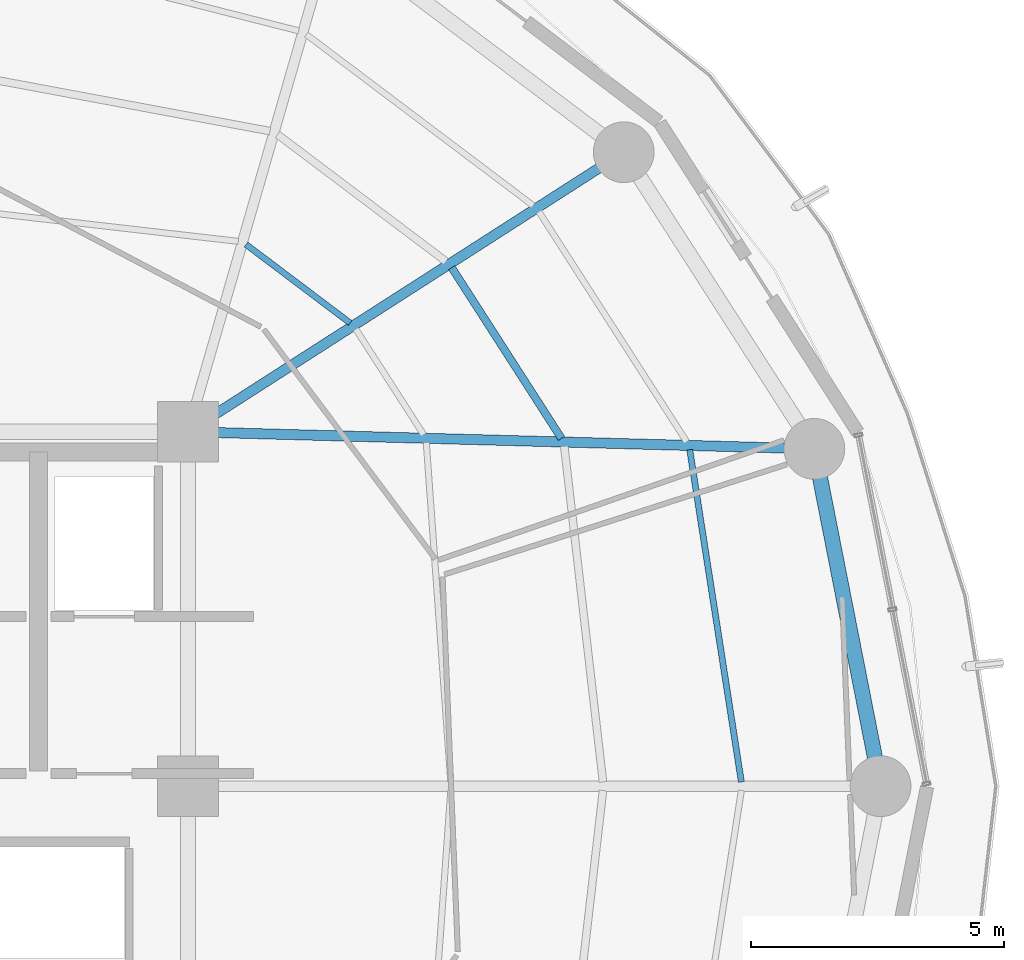
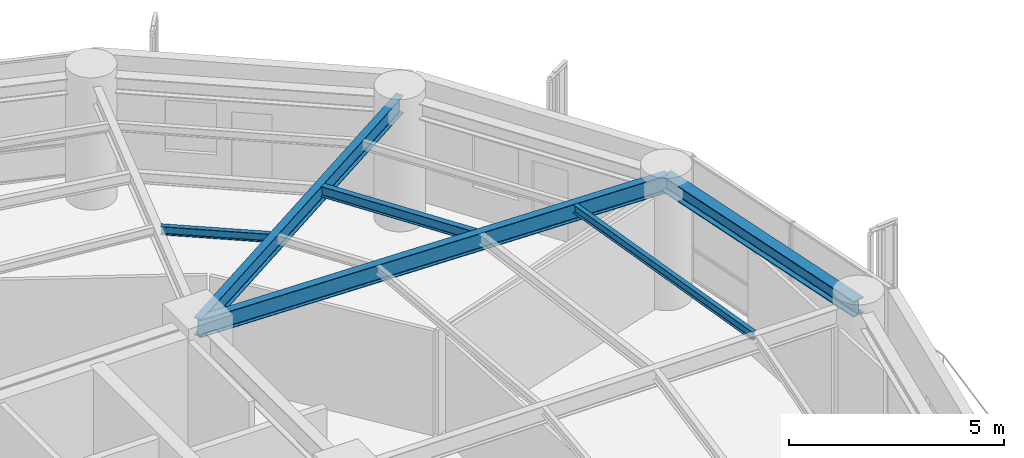
# One storey, part 14 of 28: 6 beams.
"""IFC4 building model written with IfcOpenShell, lengths in metres."""

from ifc_helpers import new_model, si_unit, direction, frame, origin, origin_2d, place, context, subcontext, project, spatial, i_section, extrude, material, material_profile, profile_set, type_object, element, save


model = new_model("IFC4")

# Units and contexts
model_context = context("Model", 3, precision=1e-05, world=origin(), true_north=direction((0.0, 1.0)))
body_context = subcontext(model_context, "Body", "Model", "MODEL_VIEW")
ifc_project = project(units=[si_unit("LENGTHUNIT", "METRE"), si_unit("AREAUNIT", "SQUARE_METRE"), si_unit("VOLUMEUNIT", "CUBIC_METRE"), si_unit("PLANEANGLEUNIT", "RADIAN"), si_unit("MASSUNIT", "GRAM", prefix="KILO")], contexts=[model_context])

# Site, building, storey
site_placement = place(None, origin())
site = spatial("IfcSite", under=ifc_project, at=site_placement, CompositionType="ELEMENT")
building_placement = place(site_placement, origin())
building = spatial("IfcBuilding", under=site, at=building_placement, Name="Kelanora Arch Commons", CompositionType="ELEMENT")
storey_placement = place(building_placement, frame((0.0, 0.0, 176.85009765625)))
storey = spatial("IfcBuildingStorey", under=building, at=storey_placement, Name="L45", CompositionType="ELEMENT", Elevation=176.85009765625)

# Beams
ifc_material = material(Name="Steel S355", Category="steel")
ifc_material_profile_1 = material_profile(ifc_material, i_section(OverallWidth=0.14990234375, OverallDepth=0.300048828125, WebThickness=0.007080078125, FlangeThickness=0.0107421875, FilletRadius=0.014892578125, at=origin_2d()), Name="IPE300")
ifc_profile_set_1 = profile_set([ifc_material_profile_1], Name="Steel S355")
beam_type_1 = type_object("IfcBeamType", Name="BM-JST-01", PredefinedType="JOIST", material=ifc_profile_set_1)
beam_1_placement = place(storey_placement, frame((89.377685546875, 64.869140625, 3.33984375), z_axis=(-0.540594434398, 0.841283339606, 0.0), x_axis=(-0.841283339606, -0.540594434398, 0.0)))
element("IfcBeam", 1, at=beam_1_placement, inside=storey, type_object=beam_type_1, Name="Secondary Chord Joist BJB-02 L45", PredefinedType="JOIST", context=body_context, shape_type="SweptSolid", body=[
    extrude(i_section(OverallWidth=0.14990234375, OverallDepth=0.300048828125, WebThickness=0.007080078125, FlangeThickness=0.0107421875, FilletRadius=0.014892578125, at=origin_2d()), origin(), (0.0, 0.0, 1.0), 4.008544921875),
])
ifc_material_profile_2 = material_profile(ifc_material, i_section(OverallWidth=0.1201171875, OverallDepth=0.239990234375, WebThickness=0.006103515625, FlangeThickness=0.009765625, FilletRadius=0.014892578125, at=origin_2d()), Name="IPE240")
ifc_profile_set_2 = profile_set([ifc_material_profile_2], Name="Steel S355")
beam_type_2 = type_object("IfcBeamType", Name="BM-JST-02", PredefinedType="JOIST", material=ifc_profile_set_2)
beam_2_placement = place(storey_placement, frame((92.930908203125, 58.083984375, 3.369873046875), z_axis=(-0.153562625853, 0.988138917329, 0.0), x_axis=(-0.988138917329, -0.153562625853, 0.0)))
element("IfcBeam", 2, at=beam_2_placement, inside=storey, type_object=beam_type_2, Name="Secondary Chord Joist BJC-00 L45", PredefinedType="JOIST", context=body_context, shape_type="SweptSolid", body=[
    extrude(i_section(OverallWidth=0.1201171875, OverallDepth=0.239990234375, WebThickness=0.006103515625, FlangeThickness=0.009765625, FilletRadius=0.014892578125, at=origin_2d()), origin(), (0.0, 0.0, 1.0), 6.640869140625),
])
beam_3_placement = place(storey_placement, frame((85.203125, 67.1494140625, 3.369873046875), z_axis=(-0.798484118859, 0.602015873487, 0.0), x_axis=(-0.602015873487, -0.798484118859, 0.0)))
element("IfcBeam", 3, at=beam_3_placement, inside=storey, type_object=beam_type_2, Name="Secondary Chord Joist BJA-04 L45", PredefinedType="JOIST", context=body_context, shape_type="SweptSolid", body=[
    extrude(i_section(OverallWidth=0.1201171875, OverallDepth=0.239990234375, WebThickness=0.006103515625, FlangeThickness=0.009765625, FilletRadius=0.014892578125, at=origin_2d()), origin(), (0.0, 0.0, 1.0), 2.57470703125),
])
ifc_material_profile_3 = material_profile(ifc_material, i_section(OverallWidth=0.199951171875, OverallDepth=0.5, WebThickness=0.01025390625, FlangeThickness=0.01611328125, FilletRadius=0.02099609375, at=origin_2d()), Name="IPE500")
ifc_profile_set_3 = profile_set([ifc_material_profile_3], Name="Steel S355")
beam_type_3 = type_object("IfcBeamType", Name="BM-RAD-Z3", PredefinedType="BEAM", material=ifc_profile_set_3)
beam_4_placement = place(storey_placement, frame((82.0, 65.0, 3.239990234375), z_axis=(0.999628374924, -0.027260081577, 0.0), x_axis=(0.027260081577, 0.999628374924, 0.0)))
element("IfcBeam", 4, at=beam_4_placement, inside=storey, type_object=beam_type_3, Name="Radial Floor Girder BR-02 L45", PredefinedType="BEAM", context=body_context, shape_type="SweptSolid", body=[
    extrude(i_section(OverallWidth=0.199951171875, OverallDepth=0.5, WebThickness=0.01025390625, FlangeThickness=0.01611328125, FilletRadius=0.02099609375, at=origin_2d()), origin(), (0.0, 0.0, 1.0), 12.377197265625),
])
beam_5_placement = place(storey_placement, frame((82.0, 65.0, 3.239990234375), z_axis=(0.841719465748, 0.539915123868, 0.0), x_axis=(-0.539915123868, 0.841719465748, 0.0)))
element("IfcBeam", 5, at=beam_5_placement, inside=storey, type_object=beam_type_3, Name="Radial Floor Girder BR-04 L45", PredefinedType="BEAM", context=body_context, shape_type="SweptSolid", body=[
    extrude(i_section(OverallWidth=0.199951171875, OverallDepth=0.5, WebThickness=0.01025390625, FlangeThickness=0.01611328125, FilletRadius=0.02099609375, at=origin_2d()), origin(), (0.0, 0.0, 1.0), 10.2265625),
])
ifc_material_profile_4 = material_profile(ifc_material, i_section(OverallWidth=0.300048828125, OverallDepth=0.449951171875, WebThickness=0.013916015625, FlangeThickness=0.02587890625, FilletRadius=0.027099609375, at=origin_2d()), Name="HEB450")
ifc_profile_set_4 = profile_set([ifc_material_profile_4], Name="Steel S355")
beam_type_4 = type_object("IfcBeamType", Name="BM-SPN-Z3", PredefinedType="SPANDREL", material=ifc_profile_set_4)
beam_6_placement = place(storey_placement, frame((95.679931640625, 58.0, 3.264892578125), z_axis=(-0.192553643556, 0.981286448675, 0.0), x_axis=(-0.981286448675, -0.192553643556, 0.0)))
element("IfcBeam", 6, at=beam_6_placement, inside=storey, type_object=beam_type_4, Name="Perimeter Spandrel Beam BS-00 L45", PredefinedType="SPANDREL", context=body_context, shape_type="SweptSolid", body=[
    extrude(i_section(OverallWidth=0.300048828125, OverallDepth=0.449951171875, WebThickness=0.013916015625, FlangeThickness=0.02587890625, FilletRadius=0.027099609375, at=origin_2d()), origin(), (0.0, 0.0, 1.0), 6.78955078125),
])

save(model, "model.ifc")
